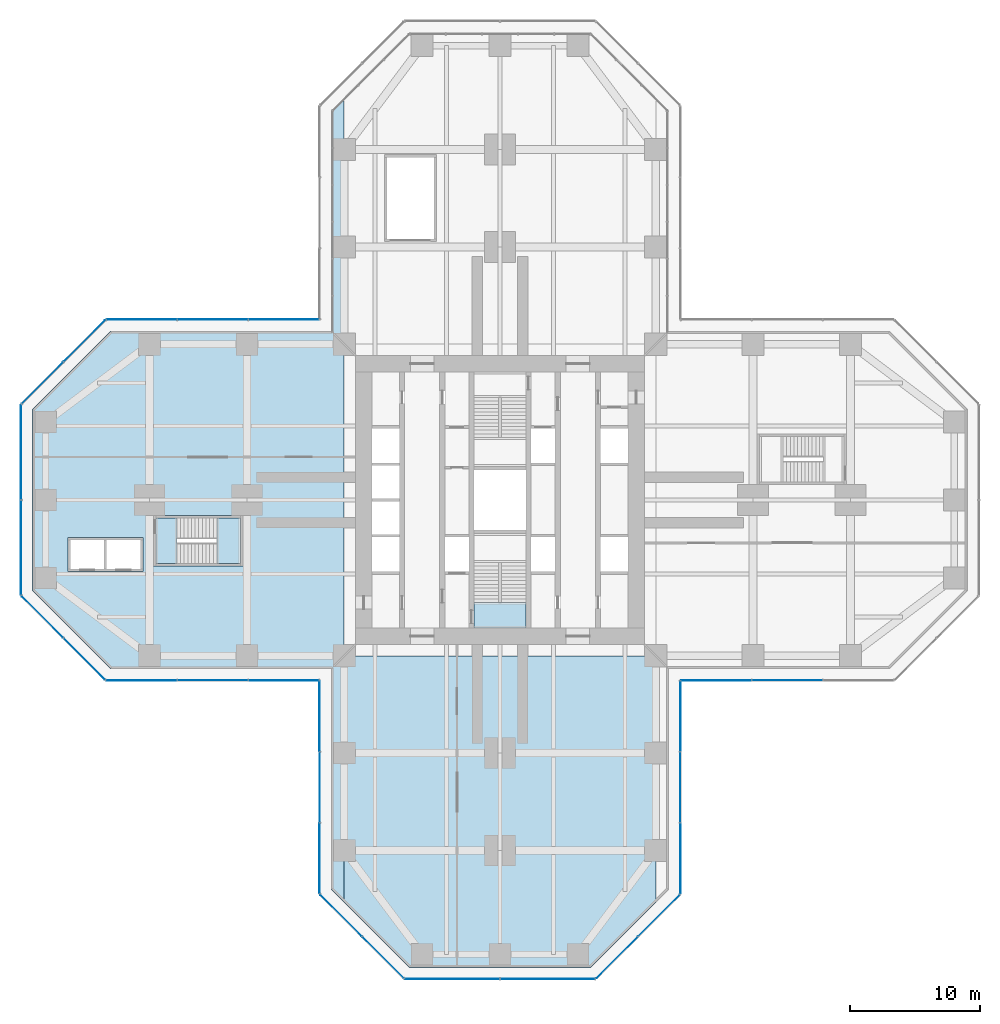
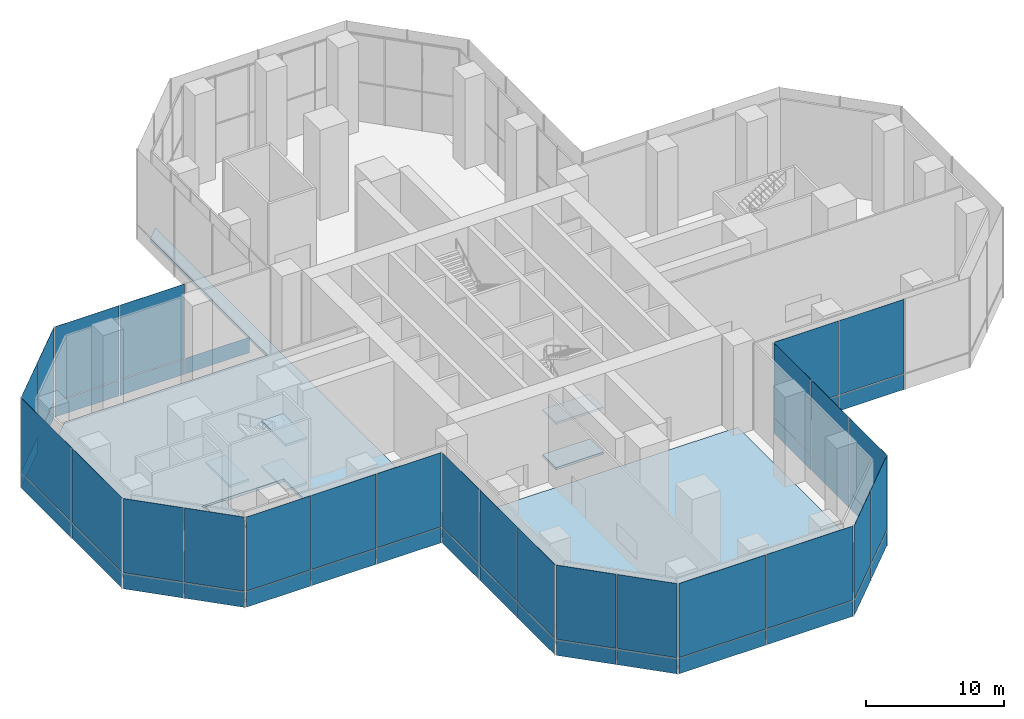
# One storey, part 14 of 25: 51 plates, 8 slabs, 13 elements without a shape of their own.
"""IFC4 building model written with IfcOpenShell, lengths in metres."""

from ifc_helpers import new_model, si_unit, direction, frame, origin, origin_2d, place, context, subcontext, project, spatial, polyline, rectangle, outline, extrude, material, layer, layer_set, type_object, element, aggregate, save


model = new_model("IFC4")

# Units and contexts
model_context = context("Model", 3, precision=1e-05, world=origin(), true_north=direction((0.0, 1.0)))
body_context = subcontext(model_context, "Body", "Model", "MODEL_VIEW")
ifc_project = project(units=[si_unit("LENGTHUNIT", "METRE"), si_unit("AREAUNIT", "SQUARE_METRE"), si_unit("VOLUMEUNIT", "CUBIC_METRE"), si_unit("PLANEANGLEUNIT", "RADIAN"), si_unit("MASSUNIT", "GRAM", prefix="KILO")], contexts=[model_context])

# Site, building, storey
site_placement = place(None, origin())
site = spatial("IfcSite", under=ifc_project, at=site_placement, CompositionType="ELEMENT")
building_placement = place(site_placement, origin())
building = spatial("IfcBuilding", under=site, at=building_placement, Name="Mizan Broadcast Tower", CompositionType="ELEMENT")
storey_placement = place(building_placement, frame((0.0, 0.0, 7.0)))
storey = spatial("IfcBuildingStorey", under=building, at=storey_placement, Name="L01", CompositionType="ELEMENT", Elevation=7.0)

# Curtain wall, plates
ifc_material_1 = material(Name="Aluminium framed glazing", Category="aluminium")
curtain_wall_type = type_object("IfcCurtainWallType", Name="OUTER SKIN", PredefinedType="USERDEFINED", material=ifc_material_1)
curtain_wall_1_placement = place(storey_placement, origin())
curtain_wall_1 = element("IfcCurtainWall", 1, at=curtain_wall_1_placement, inside=storey, type_object=curtain_wall_type, Name="Outer skin L01 E side", ObjectType="OUTER SKIN", PredefinedType="USERDEFINED")
ifc_material_2 = material(Name="Laminated clear glass", Category="glass")
ifc_layer_1 = layer(ifc_material_2, 0.02001953125)
ifc_layer_set_1 = layer_set([ifc_layer_1], Name="Laminated clear glass")
plate_type_1 = type_object("IfcPlateType", Name="OUTER SKIN CLEAR GLASS", PredefinedType="CURTAIN_PANEL", material=ifc_layer_set_1)
plate_1_placement = place(storey_placement, frame((16.66552734375, -13.89990234375, 0.0), z_axis=(0.0, 0.0, 1.0), x_axis=(1.0, 0.0, 0.0)))
plate_1 = element("IfcPlate", 2, at=plate_1_placement, type_object=plate_type_1, Name="Outer skin L01 E side panel 1.1", PredefinedType="CURTAIN_PANEL", context=body_context, shape_type="SweptSolid", body=[
    extrude(rectangle(XDim=5.370849609375, YDim=0.02001953125, at=origin_2d()), origin(), (0.0, 0.0, 1.0), 1.3701171875),
])
plate_2_placement = place(storey_placement, frame((16.66552734375, -13.89990234375, 1.43017578125), z_axis=(0.0, 0.0, 1.0), x_axis=(1.0, 0.0, 0.0)))
plate_2 = element("IfcPlate", 3, at=plate_2_placement, type_object=plate_type_1, Name="Outer skin L01 E side panel 1.2", PredefinedType="CURTAIN_PANEL", context=body_context, shape_type="SweptSolid", body=[
    extrude(rectangle(XDim=5.370849609375, YDim=0.02001953125, at=origin_2d()), origin(), (0.0, 0.0, 1.0), 6.570068359375),
])

curtain_wall_2_placement = place(storey_placement, origin())
curtain_wall_2 = element("IfcCurtainWall", 4, at=curtain_wall_2_placement, inside=storey, type_object=curtain_wall_type, Name="Outer skin L01 W side", ObjectType="OUTER SKIN", PredefinedType="USERDEFINED")
plate_3_placement = place(storey_placement, frame((-16.66552734375, 13.89990234375, 0.0), z_axis=(0.0, 0.0, 1.0), x_axis=(-1.0, 0.0, 0.0)))
plate_3 = element("IfcPlate", 5, at=plate_3_placement, type_object=plate_type_1, Name="Outer skin L01 W side panel 1.1", PredefinedType="CURTAIN_PANEL", context=body_context, shape_type="SweptSolid", body=[
    extrude(rectangle(XDim=5.370849609375, YDim=0.02001953125, at=origin_2d()), origin(), (0.0, 0.0, 1.0), 1.3701171875),
])
plate_4_placement = place(storey_placement, frame((-22.136474609375, 13.89990234375, 0.0), z_axis=(0.0, 0.0, 1.0), x_axis=(-1.0, 0.0, 0.0)))
plate_4 = element("IfcPlate", 6, at=plate_4_placement, type_object=plate_type_1, Name="Outer skin L01 W side panel 2.1", PredefinedType="CURTAIN_PANEL", context=body_context, shape_type="SweptSolid", body=[
    extrude(rectangle(XDim=5.410888671875, YDim=0.02001953125, at=origin_2d()), origin(), (0.0, 0.0, 1.0), 1.3701171875),
])
plate_5_placement = place(storey_placement, frame((-22.136474609375, 13.89990234375, 1.43017578125), z_axis=(0.0, 0.0, 1.0), x_axis=(-1.0, 0.0, 0.0)))
plate_5 = element("IfcPlate", 7, at=plate_5_placement, type_object=plate_type_1, Name="Outer skin L01 W side panel 2.2", PredefinedType="CURTAIN_PANEL", context=body_context, shape_type="SweptSolid", body=[
    extrude(rectangle(XDim=5.410888671875, YDim=0.02001953125, at=origin_2d()), origin(), (0.0, 0.0, 1.0), 6.570068359375),
])
plate_6_placement = place(storey_placement, frame((-27.607421875, 13.89990234375, 0.0), z_axis=(0.0, 0.0, 1.0), x_axis=(-1.0, 0.0, 0.0)))
plate_6 = element("IfcPlate", 8, at=plate_6_placement, type_object=plate_type_1, Name="Outer skin L01 W side panel 3.1", PredefinedType="CURTAIN_PANEL", context=body_context, shape_type="SweptSolid", body=[
    extrude(rectangle(XDim=5.370849609375, YDim=0.02001953125, at=origin_2d()), origin(), (0.0, 0.0, 1.0), 1.3701171875),
])
plate_7_placement = place(storey_placement, frame((-27.607421875, 13.89990234375, 1.43017578125), z_axis=(0.0, 0.0, 1.0), x_axis=(-1.0, 0.0, 0.0)))
plate_7 = element("IfcPlate", 9, at=plate_7_placement, type_object=plate_type_1, Name="Outer skin L01 W side panel 3.2", PredefinedType="CURTAIN_PANEL", context=body_context, shape_type="SweptSolid", body=[
    extrude(rectangle(XDim=5.370849609375, YDim=0.02001953125, at=origin_2d()), origin(), (0.0, 0.0, 1.0), 6.570068359375),
])
aggregate(curtain_wall_2, [plate_3, plate_4, plate_5, plate_6, plate_7])

curtain_wall_3_placement = place(storey_placement, origin())
curtain_wall_3 = element("IfcCurtainWall", 10, at=curtain_wall_3_placement, inside=storey, type_object=curtain_wall_type, Name="Outer skin L01 W chamfer", ObjectType="OUTER SKIN", PredefinedType="USERDEFINED")
plate_8_placement = place(storey_placement, frame((-32.018798828125, 12.254150390625, 0.0), z_axis=(0.0, 0.0, 1.0), x_axis=(-0.707106781187, -0.707106781187, 0.0)))
plate_8 = element("IfcPlate", 11, at=plate_8_placement, type_object=plate_type_1, Name="Outer skin L01 W chamfer panel 1.1", PredefinedType="CURTAIN_PANEL", context=body_context, shape_type="SweptSolid", body=[
    extrude(rectangle(XDim=4.495361328125, YDim=0.02001953125, at=origin_2d()), origin(), (0.0, 0.0, 1.0), 1.3701171875),
])
plate_9_placement = place(storey_placement, frame((-32.018798828125, 12.254150390625, 1.43017578125), z_axis=(0.0, 0.0, 1.0), x_axis=(-0.707106781187, -0.707106781187, 0.0)))
plate_9 = element("IfcPlate", 12, at=plate_9_placement, type_object=plate_type_1, Name="Outer skin L01 W chamfer panel 1.2", PredefinedType="CURTAIN_PANEL", context=body_context, shape_type="SweptSolid", body=[
    extrude(rectangle(XDim=4.495361328125, YDim=0.02001953125, at=origin_2d()), origin(), (0.0, 0.0, 1.0), 6.570068359375),
])

curtain_wall_4_placement = place(storey_placement, origin())
curtain_wall_4 = element("IfcCurtainWall", 13, at=curtain_wall_4_placement, inside=storey, type_object=curtain_wall_type, Name="Outer skin L01 W end", ObjectType="OUTER SKIN", PredefinedType="USERDEFINED")
plate_10_placement = place(storey_placement, frame((-36.89990234375, 3.66650390625, 0.0), z_axis=(0.0, 0.0, 1.0), x_axis=(0.0, -1.0, 0.0)))
plate_10 = element("IfcPlate", 14, at=plate_10_placement, type_object=plate_type_1, Name="Outer skin L01 W end panel 1.1", PredefinedType="CURTAIN_PANEL", context=body_context, shape_type="SweptSolid", body=[
    extrude(rectangle(XDim=7.252685546875, YDim=0.02001953125, at=origin_2d()), origin(), (0.0, 0.0, 1.0), 1.3701171875),
])
plate_11_placement = place(storey_placement, frame((-36.89990234375, 3.66650390625, 1.43017578125), z_axis=(0.0, 0.0, 1.0), x_axis=(0.0, -1.0, 0.0)))
plate_11 = element("IfcPlate", 15, at=plate_11_placement, type_object=plate_type_1, Name="Outer skin L01 W end panel 1.2", PredefinedType="CURTAIN_PANEL", context=body_context, shape_type="SweptSolid", body=[
    extrude(rectangle(XDim=7.252685546875, YDim=0.02001953125, at=origin_2d()), origin(), (0.0, 0.0, 1.0), 6.570068359375),
])

curtain_wall_5_placement = place(storey_placement, origin())
curtain_wall_5 = element("IfcCurtainWall", 16, at=curtain_wall_5_placement, inside=storey, type_object=curtain_wall_type, Name="Outer skin L01 W chamfer", ObjectType="OUTER SKIN", PredefinedType="USERDEFINED")
plate_12_placement = place(storey_placement, frame((-35.254150390625, -9.018798828125, 0.0), z_axis=(0.0, 0.0, 1.0), x_axis=(0.707106781187, -0.707106781187, 0.0)))
plate_12 = element("IfcPlate", 17, at=plate_12_placement, type_object=plate_type_1, Name="Outer skin L01 W chamfer panel 1.1", PredefinedType="CURTAIN_PANEL", context=body_context, shape_type="SweptSolid", body=[
    extrude(rectangle(XDim=4.495361328125, YDim=0.02001953125, at=origin_2d()), origin(), (0.0, 0.0, 1.0), 1.3701171875),
])
plate_13_placement = place(storey_placement, frame((-35.254150390625, -9.018798828125, 1.43017578125), z_axis=(0.0, 0.0, 1.0), x_axis=(0.707106781187, -0.707106781187, 0.0)))
plate_13 = element("IfcPlate", 18, at=plate_13_placement, type_object=plate_type_1, Name="Outer skin L01 W chamfer panel 1.2", PredefinedType="CURTAIN_PANEL", context=body_context, shape_type="SweptSolid", body=[
    extrude(rectangle(XDim=4.495361328125, YDim=0.02001953125, at=origin_2d()), origin(), (0.0, 0.0, 1.0), 6.570068359375),
])

curtain_wall_6_placement = place(storey_placement, origin())
curtain_wall_6 = element("IfcCurtainWall", 19, at=curtain_wall_6_placement, inside=storey, type_object=curtain_wall_type, Name="Outer skin L01 W side", ObjectType="OUTER SKIN", PredefinedType="USERDEFINED")
plate_14_placement = place(storey_placement, frame((-27.607421875, -13.89990234375, 0.0), z_axis=(0.0, 0.0, 1.0), x_axis=(1.0, 0.0, 0.0)))
plate_14 = element("IfcPlate", 20, at=plate_14_placement, type_object=plate_type_1, Name="Outer skin L01 W side panel 1.1", PredefinedType="CURTAIN_PANEL", context=body_context, shape_type="SweptSolid", body=[
    extrude(rectangle(XDim=5.370849609375, YDim=0.02001953125, at=origin_2d()), origin(), (0.0, 0.0, 1.0), 1.3701171875),
])
plate_15_placement = place(storey_placement, frame((-27.607421875, -13.89990234375, 1.43017578125), z_axis=(0.0, 0.0, 1.0), x_axis=(1.0, 0.0, 0.0)))
plate_15 = element("IfcPlate", 21, at=plate_15_placement, type_object=plate_type_1, Name="Outer skin L01 W side panel 1.2", PredefinedType="CURTAIN_PANEL", context=body_context, shape_type="SweptSolid", body=[
    extrude(rectangle(XDim=5.370849609375, YDim=0.02001953125, at=origin_2d()), origin(), (0.0, 0.0, 1.0), 6.570068359375),
])
plate_16_placement = place(storey_placement, frame((-16.66552734375, -13.89990234375, 0.0), z_axis=(0.0, 0.0, 1.0), x_axis=(1.0, 0.0, 0.0)))
plate_16 = element("IfcPlate", 22, at=plate_16_placement, type_object=plate_type_1, Name="Outer skin L01 W side panel 3.1", PredefinedType="CURTAIN_PANEL", context=body_context, shape_type="SweptSolid", body=[
    extrude(rectangle(XDim=5.370849609375, YDim=0.02001953125, at=origin_2d()), origin(), (0.0, 0.0, 1.0), 1.3701171875),
])
plate_17_placement = place(storey_placement, frame((-16.66552734375, -13.89990234375, 1.43017578125), z_axis=(0.0, 0.0, 1.0), x_axis=(1.0, 0.0, 0.0)))
plate_17 = element("IfcPlate", 23, at=plate_17_placement, type_object=plate_type_1, Name="Outer skin L01 W side panel 3.2", PredefinedType="CURTAIN_PANEL", context=body_context, shape_type="SweptSolid", body=[
    extrude(rectangle(XDim=5.370849609375, YDim=0.02001953125, at=origin_2d()), origin(), (0.0, 0.0, 1.0), 6.570068359375),
])

curtain_wall_7_placement = place(storey_placement, origin())
curtain_wall_7 = element("IfcCurtainWall", 24, at=curtain_wall_7_placement, inside=storey, type_object=curtain_wall_type, Name="Outer skin L01 S side", ObjectType="OUTER SKIN", PredefinedType="USERDEFINED")
plate_18_placement = place(storey_placement, frame((-13.89990234375, -16.66552734375, 0.0), z_axis=(0.0, 0.0, 1.0), x_axis=(0.0, -1.0, 0.0)))
plate_18 = element("IfcPlate", 25, at=plate_18_placement, type_object=plate_type_1, Name="Outer skin L01 S side panel 1.1", PredefinedType="CURTAIN_PANEL", context=body_context, shape_type="SweptSolid", body=[
    extrude(rectangle(XDim=5.370849609375, YDim=0.02001953125, at=origin_2d()), origin(), (0.0, 0.0, 1.0), 1.3701171875),
])
plate_19_placement = place(storey_placement, frame((-13.89990234375, -16.66552734375, 1.43017578125), z_axis=(0.0, 0.0, 1.0), x_axis=(0.0, -1.0, 0.0)))
plate_19 = element("IfcPlate", 26, at=plate_19_placement, type_object=plate_type_1, Name="Outer skin L01 S side panel 1.2", PredefinedType="CURTAIN_PANEL", context=body_context, shape_type="SweptSolid", body=[
    extrude(rectangle(XDim=5.370849609375, YDim=0.02001953125, at=origin_2d()), origin(), (0.0, 0.0, 1.0), 6.570068359375),
])
plate_20_placement = place(storey_placement, frame((-13.89990234375, -27.607421875, 0.0), z_axis=(0.0, 0.0, 1.0), x_axis=(0.0, -1.0, 0.0)))
plate_20 = element("IfcPlate", 27, at=plate_20_placement, type_object=plate_type_1, Name="Outer skin L01 S side panel 3.1", PredefinedType="CURTAIN_PANEL", context=body_context, shape_type="SweptSolid", body=[
    extrude(rectangle(XDim=5.370849609375, YDim=0.02001953125, at=origin_2d()), origin(), (0.0, 0.0, 1.0), 1.3701171875),
])
plate_21_placement = place(storey_placement, frame((-13.89990234375, -27.607421875, 1.43017578125), z_axis=(0.0, 0.0, 1.0), x_axis=(0.0, -1.0, 0.0)))
plate_21 = element("IfcPlate", 28, at=plate_21_placement, type_object=plate_type_1, Name="Outer skin L01 S side panel 3.2", PredefinedType="CURTAIN_PANEL", context=body_context, shape_type="SweptSolid", body=[
    extrude(rectangle(XDim=5.370849609375, YDim=0.02001953125, at=origin_2d()), origin(), (0.0, 0.0, 1.0), 6.570068359375),
])

curtain_wall_8_placement = place(storey_placement, origin())
curtain_wall_8 = element("IfcCurtainWall", 29, at=curtain_wall_8_placement, inside=storey, type_object=curtain_wall_type, Name="Outer skin L01 S chamfer", ObjectType="OUTER SKIN", PredefinedType="USERDEFINED")
plate_22_placement = place(storey_placement, frame((-12.254150390625, -32.018798828125, 0.0), z_axis=(0.0, 0.0, 1.0), x_axis=(0.707106781187, -0.707106781187, 0.0)))
plate_22 = element("IfcPlate", 30, at=plate_22_placement, type_object=plate_type_1, Name="Outer skin L01 S chamfer panel 1.1", PredefinedType="CURTAIN_PANEL", context=body_context, shape_type="SweptSolid", body=[
    extrude(rectangle(XDim=4.495361328125, YDim=0.02001953125, at=origin_2d()), origin(), (0.0, 0.0, 1.0), 1.3701171875),
])
plate_23_placement = place(storey_placement, frame((-12.254150390625, -32.018798828125, 1.43017578125), z_axis=(0.0, 0.0, 1.0), x_axis=(0.707106781187, -0.707106781187, 0.0)))
plate_23 = element("IfcPlate", 31, at=plate_23_placement, type_object=plate_type_1, Name="Outer skin L01 S chamfer panel 1.2", PredefinedType="CURTAIN_PANEL", context=body_context, shape_type="SweptSolid", body=[
    extrude(rectangle(XDim=4.495361328125, YDim=0.02001953125, at=origin_2d()), origin(), (0.0, 0.0, 1.0), 6.570068359375),
])

curtain_wall_9_placement = place(storey_placement, origin())
curtain_wall_9 = element("IfcCurtainWall", 32, at=curtain_wall_9_placement, inside=storey, type_object=curtain_wall_type, Name="Outer skin L01 S end", ObjectType="OUTER SKIN", PredefinedType="USERDEFINED")
plate_24_placement = place(storey_placement, frame((-3.66650390625, -36.89990234375, 0.0), z_axis=(0.0, 0.0, 1.0), x_axis=(1.0, 0.0, 0.0)))
plate_24 = element("IfcPlate", 33, at=plate_24_placement, type_object=plate_type_1, Name="Outer skin L01 S end panel 1.1", PredefinedType="CURTAIN_PANEL", context=body_context, shape_type="SweptSolid", body=[
    extrude(rectangle(XDim=7.252685546875, YDim=0.02001953125, at=origin_2d()), origin(), (0.0, 0.0, 1.0), 1.3701171875),
])
plate_25_placement = place(storey_placement, frame((-3.66650390625, -36.89990234375, 1.43017578125), z_axis=(0.0, 0.0, 1.0), x_axis=(1.0, 0.0, 0.0)))
plate_25 = element("IfcPlate", 34, at=plate_25_placement, type_object=plate_type_1, Name="Outer skin L01 S end panel 1.2", PredefinedType="CURTAIN_PANEL", context=body_context, shape_type="SweptSolid", body=[
    extrude(rectangle(XDim=7.252685546875, YDim=0.02001953125, at=origin_2d()), origin(), (0.0, 0.0, 1.0), 6.570068359375),
])

curtain_wall_10_placement = place(storey_placement, origin())
curtain_wall_10 = element("IfcCurtainWall", 35, at=curtain_wall_10_placement, inside=storey, type_object=curtain_wall_type, Name="Outer skin L01 S chamfer", ObjectType="OUTER SKIN", PredefinedType="USERDEFINED")
plate_26_placement = place(storey_placement, frame((9.018798828125, -35.254150390625, 0.0), z_axis=(0.0, 0.0, 1.0), x_axis=(0.707106781187, 0.707106781187, 0.0)))
plate_26 = element("IfcPlate", 36, at=plate_26_placement, type_object=plate_type_1, Name="Outer skin L01 S chamfer panel 1.1", PredefinedType="CURTAIN_PANEL", context=body_context, shape_type="SweptSolid", body=[
    extrude(rectangle(XDim=4.495361328125, YDim=0.02001953125, at=origin_2d()), origin(), (0.0, 0.0, 1.0), 1.3701171875),
])
plate_27_placement = place(storey_placement, frame((9.018798828125, -35.254150390625, 1.43017578125), z_axis=(0.0, 0.0, 1.0), x_axis=(0.707106781187, 0.707106781187, 0.0)))
plate_27 = element("IfcPlate", 37, at=plate_27_placement, type_object=plate_type_1, Name="Outer skin L01 S chamfer panel 1.2", PredefinedType="CURTAIN_PANEL", context=body_context, shape_type="SweptSolid", body=[
    extrude(rectangle(XDim=4.495361328125, YDim=0.02001953125, at=origin_2d()), origin(), (0.0, 0.0, 1.0), 6.570068359375),
])

curtain_wall_11_placement = place(storey_placement, origin())
curtain_wall_11 = element("IfcCurtainWall", 38, at=curtain_wall_11_placement, inside=storey, type_object=curtain_wall_type, Name="Outer skin L01 S side", ObjectType="OUTER SKIN", PredefinedType="USERDEFINED")
plate_28_placement = place(storey_placement, frame((13.89990234375, -27.607421875, 0.0), z_axis=(0.0, 0.0, 1.0), x_axis=(0.0, 1.0, 0.0)))
plate_28 = element("IfcPlate", 39, at=plate_28_placement, type_object=plate_type_1, Name="Outer skin L01 S side panel 1.1", PredefinedType="CURTAIN_PANEL", context=body_context, shape_type="SweptSolid", body=[
    extrude(rectangle(XDim=5.370849609375, YDim=0.02001953125, at=origin_2d()), origin(), (0.0, 0.0, 1.0), 1.3701171875),
])
plate_29_placement = place(storey_placement, frame((13.89990234375, -27.607421875, 1.43017578125), z_axis=(0.0, 0.0, 1.0), x_axis=(0.0, 1.0, 0.0)))
plate_29 = element("IfcPlate", 40, at=plate_29_placement, type_object=plate_type_1, Name="Outer skin L01 S side panel 1.2", PredefinedType="CURTAIN_PANEL", context=body_context, shape_type="SweptSolid", body=[
    extrude(rectangle(XDim=5.370849609375, YDim=0.02001953125, at=origin_2d()), origin(), (0.0, 0.0, 1.0), 6.570068359375),
])
plate_30_placement = place(storey_placement, frame((13.89990234375, -16.66552734375, 0.0), z_axis=(0.0, 0.0, 1.0), x_axis=(0.0, 1.0, 0.0)))
plate_30 = element("IfcPlate", 41, at=plate_30_placement, type_object=plate_type_1, Name="Outer skin L01 S side panel 3.1", PredefinedType="CURTAIN_PANEL", context=body_context, shape_type="SweptSolid", body=[
    extrude(rectangle(XDim=5.370849609375, YDim=0.02001953125, at=origin_2d()), origin(), (0.0, 0.0, 1.0), 1.3701171875),
])
plate_31_placement = place(storey_placement, frame((13.89990234375, -16.66552734375, 1.43017578125), z_axis=(0.0, 0.0, 1.0), x_axis=(0.0, 1.0, 0.0)))
plate_31 = element("IfcPlate", 42, at=plate_31_placement, type_object=plate_type_1, Name="Outer skin L01 S side panel 3.2", PredefinedType="CURTAIN_PANEL", context=body_context, shape_type="SweptSolid", body=[
    extrude(rectangle(XDim=5.370849609375, YDim=0.02001953125, at=origin_2d()), origin(), (0.0, 0.0, 1.0), 6.570068359375),
])

# Plate
ifc_material_3 = material(Name="Perforated aluminium, pale anodised", Category="aluminium")
ifc_layer_2 = layer(ifc_material_3, 0.011962890625)
ifc_layer_set_2 = layer_set([ifc_layer_2], Name="Perforated aluminium, pale anodised")
plate_type_2 = type_object("IfcPlateType", Name="OUTER SKIN PERFORATED SCREEN", PredefinedType="USERDEFINED", material=ifc_layer_set_2)
plate_32_placement = place(storey_placement, frame((22.136474609375, -13.89990234375, 0.0), z_axis=(0.0, 0.0, 1.0), x_axis=(1.0, 0.0, 0.0)))
plate_32 = element("IfcPlate", 43, at=plate_32_placement, type_object=plate_type_2, Name="Outer skin L01 E side panel 2.1", ObjectType="SCREEN", PredefinedType="USERDEFINED", context=body_context, shape_type="SweptSolid", body=[
    extrude(rectangle(XDim=5.410888671875, YDim=0.011962890625, at=origin_2d()), origin(), (0.0, 0.0, 1.0), 1.3701171875),
])

plate_33_placement = place(storey_placement, frame((22.136474609375, -13.89990234375, 1.43017578125), z_axis=(0.0, 0.0, 1.0), x_axis=(1.0, 0.0, 0.0)))
plate_33 = element("IfcPlate", 44, at=plate_33_placement, type_object=plate_type_2, Name="Outer skin L01 E side panel 2.2", ObjectType="SCREEN", PredefinedType="USERDEFINED", context=body_context, shape_type="SweptSolid", body=[
    extrude(rectangle(XDim=5.410888671875, YDim=0.011962890625, at=origin_2d()), origin(), (0.0, 0.0, 1.0), 6.570068359375),
])

aggregate(curtain_wall_1, [plate_1, plate_2, plate_32, plate_33])

plate_34_placement = place(storey_placement, frame((-35.254150390625, 9.018798828125, 0.0), z_axis=(0.0, 0.0, 1.0), x_axis=(-0.707106781187, -0.707106781187, 0.0)))
plate_34 = element("IfcPlate", 45, at=plate_34_placement, type_object=plate_type_2, Name="Outer skin L01 W chamfer panel 2.1", ObjectType="SCREEN", PredefinedType="USERDEFINED", context=body_context, shape_type="SweptSolid", body=[
    extrude(rectangle(XDim=4.495361328125, YDim=0.011962890625, at=origin_2d()), origin(), (0.0, 0.0, 1.0), 1.3701171875),
])

plate_35_placement = place(storey_placement, frame((-35.254150390625, 9.018798828125, 1.43017578125), z_axis=(0.0, 0.0, 1.0), x_axis=(-0.707106781187, -0.707106781187, 0.0)))
plate_35 = element("IfcPlate", 46, at=plate_35_placement, type_object=plate_type_2, Name="Outer skin L01 W chamfer panel 2.2", ObjectType="SCREEN", PredefinedType="USERDEFINED", context=body_context, shape_type="SweptSolid", body=[
    extrude(rectangle(XDim=4.495361328125, YDim=0.011962890625, at=origin_2d()), origin(), (0.0, 0.0, 1.0), 6.570068359375),
])

aggregate(curtain_wall_3, [plate_8, plate_9, plate_34, plate_35])

plate_36_placement = place(storey_placement, frame((-36.89990234375, -3.66650390625, 0.0), z_axis=(0.0, 0.0, 1.0), x_axis=(0.0, -1.0, 0.0)))
plate_36 = element("IfcPlate", 47, at=plate_36_placement, type_object=plate_type_2, Name="Outer skin L01 W end panel 2.1", ObjectType="SCREEN", PredefinedType="USERDEFINED", context=body_context, shape_type="SweptSolid", body=[
    extrude(rectangle(XDim=7.252685546875, YDim=0.011962890625, at=origin_2d()), origin(), (0.0, 0.0, 1.0), 1.3701171875),
])

plate_37_placement = place(storey_placement, frame((-36.89990234375, -3.66650390625, 1.43017578125), z_axis=(0.0, 0.0, 1.0), x_axis=(0.0, -1.0, 0.0)))
plate_37 = element("IfcPlate", 48, at=plate_37_placement, type_object=plate_type_2, Name="Outer skin L01 W end panel 2.2", ObjectType="SCREEN", PredefinedType="USERDEFINED", context=body_context, shape_type="SweptSolid", body=[
    extrude(rectangle(XDim=7.252685546875, YDim=0.011962890625, at=origin_2d()), origin(), (0.0, 0.0, 1.0), 6.570068359375),
])

aggregate(curtain_wall_4, [plate_10, plate_11, plate_36, plate_37])

plate_38_placement = place(storey_placement, frame((-32.018798828125, -12.254150390625, 0.0), z_axis=(0.0, 0.0, 1.0), x_axis=(0.707106781187, -0.707106781187, 0.0)))
plate_38 = element("IfcPlate", 49, at=plate_38_placement, type_object=plate_type_2, Name="Outer skin L01 W chamfer panel 2.1", ObjectType="SCREEN", PredefinedType="USERDEFINED", context=body_context, shape_type="SweptSolid", body=[
    extrude(rectangle(XDim=4.495361328125, YDim=0.011962890625, at=origin_2d()), origin(), (0.0, 0.0, 1.0), 1.3701171875),
])

plate_39_placement = place(storey_placement, frame((-32.018798828125, -12.254150390625, 1.43017578125), z_axis=(0.0, 0.0, 1.0), x_axis=(0.707106781187, -0.707106781187, 0.0)))
plate_39 = element("IfcPlate", 50, at=plate_39_placement, type_object=plate_type_2, Name="Outer skin L01 W chamfer panel 2.2", ObjectType="SCREEN", PredefinedType="USERDEFINED", context=body_context, shape_type="SweptSolid", body=[
    extrude(rectangle(XDim=4.495361328125, YDim=0.011962890625, at=origin_2d()), origin(), (0.0, 0.0, 1.0), 6.570068359375),
])

aggregate(curtain_wall_5, [plate_12, plate_13, plate_38, plate_39])

plate_40_placement = place(storey_placement, frame((-22.136474609375, -13.89990234375, 0.0), z_axis=(0.0, 0.0, 1.0), x_axis=(1.0, 0.0, 0.0)))
plate_40 = element("IfcPlate", 51, at=plate_40_placement, type_object=plate_type_2, Name="Outer skin L01 W side panel 2.1", ObjectType="SCREEN", PredefinedType="USERDEFINED", context=body_context, shape_type="SweptSolid", body=[
    extrude(rectangle(XDim=5.410888671875, YDim=0.011962890625, at=origin_2d()), origin(), (0.0, 0.0, 1.0), 1.3701171875),
])

plate_41_placement = place(storey_placement, frame((-22.136474609375, -13.89990234375, 1.43017578125), z_axis=(0.0, 0.0, 1.0), x_axis=(1.0, 0.0, 0.0)))
plate_41 = element("IfcPlate", 52, at=plate_41_placement, type_object=plate_type_2, Name="Outer skin L01 W side panel 2.2", ObjectType="SCREEN", PredefinedType="USERDEFINED", context=body_context, shape_type="SweptSolid", body=[
    extrude(rectangle(XDim=5.410888671875, YDim=0.011962890625, at=origin_2d()), origin(), (0.0, 0.0, 1.0), 6.570068359375),
])

aggregate(curtain_wall_6, [plate_14, plate_15, plate_40, plate_41, plate_16, plate_17])

plate_42_placement = place(storey_placement, frame((-13.89990234375, -22.136474609375, 0.0), z_axis=(0.0, 0.0, 1.0), x_axis=(0.0, -1.0, 0.0)))
plate_42 = element("IfcPlate", 53, at=plate_42_placement, type_object=plate_type_2, Name="Outer skin L01 S side panel 2.1", ObjectType="SCREEN", PredefinedType="USERDEFINED", context=body_context, shape_type="SweptSolid", body=[
    extrude(rectangle(XDim=5.410888671875, YDim=0.011962890625, at=origin_2d()), origin(), (0.0, 0.0, 1.0), 1.3701171875),
])

plate_43_placement = place(storey_placement, frame((-13.89990234375, -22.136474609375, 1.43017578125), z_axis=(0.0, 0.0, 1.0), x_axis=(0.0, -1.0, 0.0)))
plate_43 = element("IfcPlate", 54, at=plate_43_placement, type_object=plate_type_2, Name="Outer skin L01 S side panel 2.2", ObjectType="SCREEN", PredefinedType="USERDEFINED", context=body_context, shape_type="SweptSolid", body=[
    extrude(rectangle(XDim=5.410888671875, YDim=0.011962890625, at=origin_2d()), origin(), (0.0, 0.0, 1.0), 6.570068359375),
])

aggregate(curtain_wall_7, [plate_18, plate_19, plate_42, plate_43, plate_20, plate_21])

plate_44_placement = place(storey_placement, frame((-9.018798828125, -35.254150390625, 0.0), z_axis=(0.0, 0.0, 1.0), x_axis=(0.707106781187, -0.707106781187, 0.0)))
plate_44 = element("IfcPlate", 55, at=plate_44_placement, type_object=plate_type_2, Name="Outer skin L01 S chamfer panel 2.1", ObjectType="SCREEN", PredefinedType="USERDEFINED", context=body_context, shape_type="SweptSolid", body=[
    extrude(rectangle(XDim=4.495361328125, YDim=0.011962890625, at=origin_2d()), origin(), (0.0, 0.0, 1.0), 1.3701171875),
])

plate_45_placement = place(storey_placement, frame((-9.018798828125, -35.254150390625, 1.43017578125), z_axis=(0.0, 0.0, 1.0), x_axis=(0.707106781187, -0.707106781187, 0.0)))
plate_45 = element("IfcPlate", 56, at=plate_45_placement, type_object=plate_type_2, Name="Outer skin L01 S chamfer panel 2.2", ObjectType="SCREEN", PredefinedType="USERDEFINED", context=body_context, shape_type="SweptSolid", body=[
    extrude(rectangle(XDim=4.495361328125, YDim=0.011962890625, at=origin_2d()), origin(), (0.0, 0.0, 1.0), 6.570068359375),
])

aggregate(curtain_wall_8, [plate_22, plate_23, plate_44, plate_45])

plate_46_placement = place(storey_placement, frame((3.66650390625, -36.89990234375, 0.0), z_axis=(0.0, 0.0, 1.0), x_axis=(1.0, 0.0, 0.0)))
plate_46 = element("IfcPlate", 57, at=plate_46_placement, type_object=plate_type_2, Name="Outer skin L01 S end panel 2.1", ObjectType="SCREEN", PredefinedType="USERDEFINED", context=body_context, shape_type="SweptSolid", body=[
    extrude(rectangle(XDim=7.252685546875, YDim=0.011962890625, at=origin_2d()), origin(), (0.0, 0.0, 1.0), 1.3701171875),
])

plate_47_placement = place(storey_placement, frame((3.66650390625, -36.89990234375, 1.43017578125), z_axis=(0.0, 0.0, 1.0), x_axis=(1.0, 0.0, 0.0)))
plate_47 = element("IfcPlate", 58, at=plate_47_placement, type_object=plate_type_2, Name="Outer skin L01 S end panel 2.2", ObjectType="SCREEN", PredefinedType="USERDEFINED", context=body_context, shape_type="SweptSolid", body=[
    extrude(rectangle(XDim=7.252685546875, YDim=0.011962890625, at=origin_2d()), origin(), (0.0, 0.0, 1.0), 6.570068359375),
])

aggregate(curtain_wall_9, [plate_24, plate_25, plate_46, plate_47])

plate_48_placement = place(storey_placement, frame((12.254150390625, -32.018798828125, 0.0), z_axis=(0.0, 0.0, 1.0), x_axis=(0.707106781187, 0.707106781187, 0.0)))
plate_48 = element("IfcPlate", 59, at=plate_48_placement, type_object=plate_type_2, Name="Outer skin L01 S chamfer panel 2.1", ObjectType="SCREEN", PredefinedType="USERDEFINED", context=body_context, shape_type="SweptSolid", body=[
    extrude(rectangle(XDim=4.495361328125, YDim=0.011962890625, at=origin_2d()), origin(), (0.0, 0.0, 1.0), 1.3701171875),
])

plate_49_placement = place(storey_placement, frame((12.254150390625, -32.018798828125, 1.43017578125), z_axis=(0.0, 0.0, 1.0), x_axis=(0.707106781187, 0.707106781187, 0.0)))
plate_49 = element("IfcPlate", 60, at=plate_49_placement, type_object=plate_type_2, Name="Outer skin L01 S chamfer panel 2.2", ObjectType="SCREEN", PredefinedType="USERDEFINED", context=body_context, shape_type="SweptSolid", body=[
    extrude(rectangle(XDim=4.495361328125, YDim=0.011962890625, at=origin_2d()), origin(), (0.0, 0.0, 1.0), 6.570068359375),
])

aggregate(curtain_wall_10, [plate_26, plate_27, plate_48, plate_49])

plate_50_placement = place(storey_placement, frame((13.89990234375, -22.136474609375, 0.0), z_axis=(0.0, 0.0, 1.0), x_axis=(0.0, 1.0, 0.0)))
plate_50 = element("IfcPlate", 61, at=plate_50_placement, type_object=plate_type_2, Name="Outer skin L01 S side panel 2.1", ObjectType="SCREEN", PredefinedType="USERDEFINED", context=body_context, shape_type="SweptSolid", body=[
    extrude(rectangle(XDim=5.410888671875, YDim=0.011962890625, at=origin_2d()), origin(), (0.0, 0.0, 1.0), 1.3701171875),
])

plate_51_placement = place(storey_placement, frame((13.89990234375, -22.136474609375, 1.43017578125), z_axis=(0.0, 0.0, 1.0), x_axis=(0.0, 1.0, 0.0)))
plate_51 = element("IfcPlate", 62, at=plate_51_placement, type_object=plate_type_2, Name="Outer skin L01 S side panel 2.2", ObjectType="SCREEN", PredefinedType="USERDEFINED", context=body_context, shape_type="SweptSolid", body=[
    extrude(rectangle(XDim=5.410888671875, YDim=0.011962890625, at=origin_2d()), origin(), (0.0, 0.0, 1.0), 6.570068359375),
])

aggregate(curtain_wall_11, [plate_28, plate_29, plate_50, plate_51, plate_30, plate_31])

# Slabs
ifc_material_4 = material(Name="Concrete C40/50", Category="concrete")
ifc_layer_3 = layer(ifc_material_4, 0.25)
ifc_layer_set_3 = layer_set([ifc_layer_3], Name="Concrete C40/50")
slab_type_1 = type_object("IfcSlabType", Name="RC FLAT SLAB 250", PredefinedType="FLOOR", material=ifc_layer_set_3)
slab_1_placement = place(storey_placement, frame((0.0, 0.0, -0.25)))
element("IfcSlab", 63, at=slab_1_placement, inside=storey, type_object=slab_type_1, Name="Floor slab L01 west arm", PredefinedType="FLOOR", context=body_context, shape_type="SweptSolid", body=[
    extrude(outline(polyline([(-30.0, -13.0), (-13.0, -13.0), (-13.0, -30.0), (-12.0, -31.0), (-12.0, 31.0), (-13.0, 30.0), (-13.0, 13.0), (-30.0, 13.0), (-36.0, 7.0), (-36.0, -7.0), (-30.0, -13.0)]), holes=[polyline([(-19.800048828125, -1.199951171875), (-19.800048828125, -5.10009765625), (-26.699951171875, -5.10009765625), (-26.699951171875, -1.199951171875), (-19.800048828125, -1.199951171875)]), polyline([(-27.5, -5.5), (-33.300048828125, -5.5), (-33.300048828125, -2.89990234375), (-27.5, -2.89990234375), (-27.5, -5.5)])]), origin(), (0.0, 0.0, 1.0), 0.25),
])
slab_2_placement = place(storey_placement, frame((0.0, 0.0, -0.25)))
element("IfcSlab", 64, at=slab_2_placement, inside=storey, type_object=slab_type_1, Name="Floor slab L01 south arm", PredefinedType="FLOOR", context=body_context, shape_type="SweptSolid", body=[
    extrude(outline(polyline([(7.0, -36.0), (12.0, -31.0), (12.0, -12.0), (-12.0, -12.0), (-12.0, -31.0), (-7.0, -36.0), (7.0, -36.0)])), origin(), (0.0, 0.0, 1.0), 0.25),
])

# Stair, slabs
ifc_material_5 = material(Name="Concrete C40/50", Category="concrete")
stair_type = type_object("IfcStairType", Name="EXIT STAIR", PredefinedType="HALF_TURN_STAIR", material=ifc_material_5)
stair_1_placement = place(storey_placement, origin())
stair_1 = element("IfcStair", 65, at=stair_1_placement, inside=storey, type_object=stair_type, Name="Stair A L01", PredefinedType="HALF_TURN_STAIR")
ifc_material_6 = material(Name="Concrete C40/50", Category="concrete")
ifc_layer_4 = layer(ifc_material_6, 0.199951171875)
ifc_layer_set_4 = layer_set([ifc_layer_4], Name="Concrete C40/50")
slab_type_2 = type_object("IfcSlabType", Name="STAIR LANDING 200", PredefinedType="LANDING", material=ifc_layer_set_4)
slab_3_placement = place(storey_placement, frame((0.0, 0.0, -0.199951171875)))
slab_3 = element("IfcSlab", 66, at=slab_3_placement, type_object=slab_type_2, Name="A landing 1", PredefinedType="LANDING", context=body_context, shape_type="SweptSolid", body=[
    extrude(outline(polyline([(-2.0, -9.85009765625), (-2.0, -7.89990234375), (2.0, -7.89990234375), (2.0, -9.85009765625), (-2.0, -9.85009765625)])), origin(), (0.0, 0.0, 1.0), 0.199951171875),
])
slab_4_placement = place(storey_placement, frame((0.0, 0.0, 3.800048828125)))
slab_4 = element("IfcSlab", 67, at=slab_4_placement, type_object=slab_type_2, Name="A landing 3", PredefinedType="LANDING", context=body_context, shape_type="SweptSolid", body=[
    extrude(outline(polyline([(-2.0, -9.85009765625), (-2.0, -7.89990234375), (2.0, -7.89990234375), (2.0, -9.85009765625), (-2.0, -9.85009765625)])), origin(), (0.0, 0.0, 1.0), 0.199951171875),
])
aggregate(stair_1, [slab_3, slab_4])

stair_2_placement = place(storey_placement, origin())
stair_2 = element("IfcStair", 68, at=stair_2_placement, inside=storey, type_object=stair_type, Name="Stair D L01", PredefinedType="HALF_TURN_STAIR")
slab_5_placement = place(storey_placement, frame((0.0, 0.0, -0.199951171875)))
slab_5 = element("IfcSlab", 69, at=slab_5_placement, type_object=slab_type_2, Name="D landing 1", PredefinedType="LANDING", context=body_context, shape_type="SweptSolid", body=[
    extrude(outline(polyline([(-26.5, -1.39990234375), (-24.889892578125, -1.39990234375), (-24.889892578125, -4.89990234375), (-26.5, -4.89990234375), (-26.5, -1.39990234375)])), origin(), (0.0, 0.0, 1.0), 0.199951171875),
])
slab_6_placement = place(storey_placement, frame((0.0, 0.0, 1.800048828125)))
slab_6 = element("IfcSlab", 70, at=slab_6_placement, type_object=slab_type_2, Name="D landing 2", PredefinedType="LANDING", context=body_context, shape_type="SweptSolid", body=[
    extrude(outline(polyline([(-21.81005859375, -1.39990234375), (-20.0, -1.39990234375), (-20.0, -4.89990234375), (-21.81005859375, -4.89990234375), (-21.81005859375, -1.39990234375)])), origin(), (0.0, 0.0, 1.0), 0.199951171875),
])
slab_7_placement = place(storey_placement, frame((0.0, 0.0, 3.800048828125)))
slab_7 = element("IfcSlab", 71, at=slab_7_placement, type_object=slab_type_2, Name="D landing 3", PredefinedType="LANDING", context=body_context, shape_type="SweptSolid", body=[
    extrude(outline(polyline([(-26.5, -1.39990234375), (-24.889892578125, -1.39990234375), (-24.889892578125, -4.89990234375), (-26.5, -4.89990234375), (-26.5, -1.39990234375)])), origin(), (0.0, 0.0, 1.0), 0.199951171875),
])
slab_8_placement = place(storey_placement, frame((0.0, 0.0, 5.800048828125)))
slab_8 = element("IfcSlab", 72, at=slab_8_placement, type_object=slab_type_2, Name="D landing 4", PredefinedType="LANDING", context=body_context, shape_type="SweptSolid", body=[
    extrude(outline(polyline([(-21.81005859375, -1.39990234375), (-20.0, -1.39990234375), (-20.0, -4.89990234375), (-21.81005859375, -4.89990234375), (-21.81005859375, -1.39990234375)])), origin(), (0.0, 0.0, 1.0), 0.199951171875),
])
aggregate(stair_2, [slab_5, slab_6, slab_7, slab_8])

save(model, "model.ifc")
